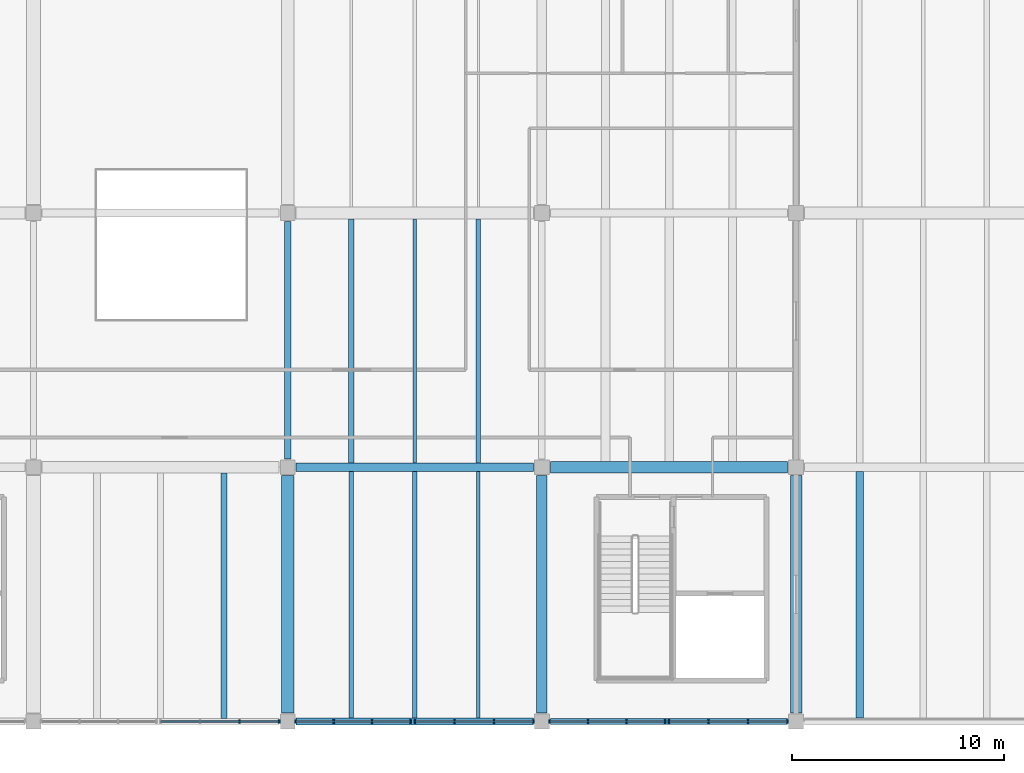
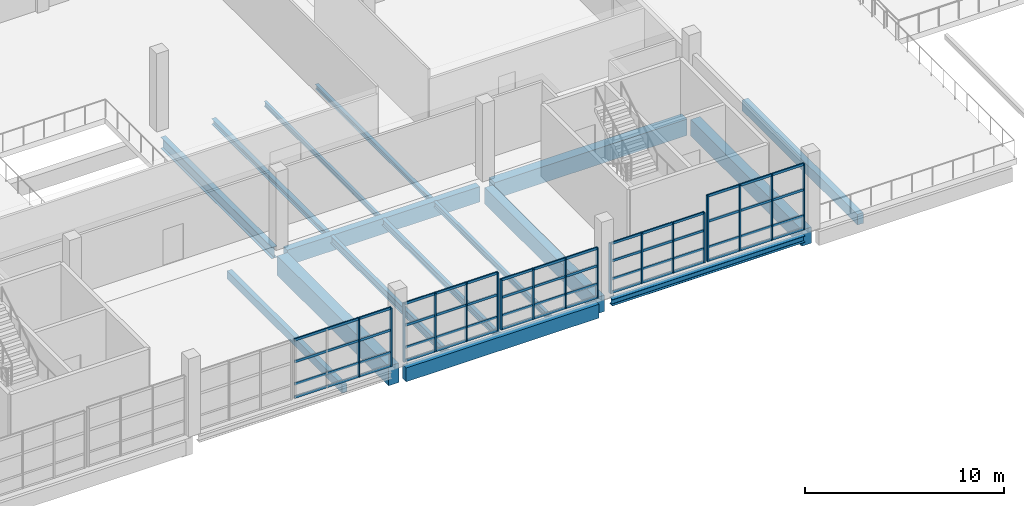
# One storey, part 16 of 49: 38 members, 16 beams, 5 elements without a shape of their own.
"""IFC4 building model written with IfcOpenShell, lengths in metres."""

from ifc_helpers import new_model, si_unit, direction, frame, origin, origin_2d, place, context, subcontext, project, spatial, rectangle, i_section, extrude, material, material_profile, profile_set, type_object, element, aggregate, save


model = new_model("IFC4")

# Units and contexts
model_context = context("Model", 3, precision=1e-05, world=origin(), true_north=direction((0.0, 1.0)))
body_context = subcontext(model_context, "Body", "Model", "MODEL_VIEW")
ifc_project = project(units=[si_unit("LENGTHUNIT", "METRE"), si_unit("AREAUNIT", "SQUARE_METRE"), si_unit("VOLUMEUNIT", "CUBIC_METRE"), si_unit("PLANEANGLEUNIT", "RADIAN"), si_unit("MASSUNIT", "GRAM", prefix="KILO")], contexts=[model_context])

# Site, building, storey
site_placement = place(None, origin())
site = spatial("IfcSite", under=ifc_project, at=site_placement, CompositionType="ELEMENT")
building_placement = place(site_placement, origin())
building = spatial("IfcBuilding", under=site, at=building_placement, Name="Kamomehara Wholesale Market", CompositionType="ELEMENT")
storey_placement = place(building_placement, frame((0.0, 0.0, 11.39990234375)))
storey = spatial("IfcBuildingStorey", under=building, at=storey_placement, Name="L02", CompositionType="ELEMENT", Elevation=11.39990234375)

# Beams
ifc_material_1 = material(Name="Precast concrete Fc45 (C40/50)", Category="concrete")
ifc_material_profile_1 = material_profile(ifc_material_1, rectangle(XDim=0.5, YDim=1.0, at=origin_2d()), Name="PC-GRD-500x1000")
ifc_profile_set_1 = profile_set([ifc_material_profile_1], Name="Precast concrete Fc45 (C40/50)")
beam_type_1 = type_object("IfcBeamType", Name="BM-PG1000", PredefinedType="T_BEAM", material=ifc_profile_set_1)
beam_1_placement = place(storey_placement, frame((144.0, 12.39990234375, -0.831787109375), z_axis=(0.0, 1.0, 0.0), x_axis=(-1.0, 0.0, 0.0)))
element("IfcBeam", 1, at=beam_1_placement, inside=storey, type_object=beam_type_1, Name="Beam PG-09 L02", PredefinedType="T_BEAM", context=body_context, shape_type="SweptSolid", body=[
    extrude(rectangle(XDim=0.5, YDim=1.0, at=origin_2d()), origin(), (0.0, 0.0, 1.0), 11.2001953125),
])
ifc_material_2 = material(Name="Precast concrete Fc45 (C40/50)", Category="concrete")
ifc_material_profile_2 = material_profile(ifc_material_2, rectangle(XDim=0.60009765625, YDim=1.199951171875, at=origin_2d()), Name="PC-GRD-600x1200")
ifc_profile_set_2 = profile_set([ifc_material_profile_2], Name="Precast concrete Fc45 (C40/50)")
beam_type_2 = type_object("IfcBeamType", Name="BM-PG1200", PredefinedType="T_BEAM", material=ifc_profile_set_2)
beam_2_placement = place(storey_placement, frame((132.0, 12.39990234375, -0.911865234375), z_axis=(0.0, 1.0, 0.0), x_axis=(-1.0, 0.0, 0.0)))
element("IfcBeam", 2, at=beam_2_placement, inside=storey, type_object=beam_type_2, Name="Beam PG-05 L02", PredefinedType="T_BEAM", context=body_context, shape_type="SweptSolid", body=[
    extrude(rectangle(XDim=0.60009765625, YDim=1.199951171875, at=origin_2d()), origin(), (0.0, 0.0, 1.0), 11.2001953125),
])
ifc_material_3 = material(Name="Precast concrete Fc45 (C40/50)", Category="concrete")
ifc_material_profile_3 = material_profile(ifc_material_3, rectangle(XDim=0.280029296875, YDim=0.5, at=origin_2d()), Name="PC-JST-280x500")
ifc_profile_set_3 = profile_set([ifc_material_profile_3], Name="Precast concrete Fc45 (C40/50)")
beam_type_3 = type_object("IfcBeamType", Name="BM-PJ500", PredefinedType="JOIST", material=ifc_profile_set_3)
beam_3_placement = place(storey_placement, frame((129.0, 12.14990234375, -0.56201171875), z_axis=(0.0, 1.0, 0.0), x_axis=(-1.0, 0.0, 0.0)))
element("IfcBeam", 3, at=beam_3_placement, inside=storey, type_object=beam_type_3, Name="Beam PJ-11 L02", PredefinedType="JOIST", context=body_context, shape_type="SweptSolid", body=[
    extrude(rectangle(XDim=0.280029296875, YDim=0.5, at=origin_2d()), origin(), (0.0, 0.0, 1.0), 11.5751953125),
])
ifc_material_4 = material(Name="Precast concrete Fc45 (C40/50)", Category="concrete")
ifc_material_profile_4 = material_profile(ifc_material_4, rectangle(XDim=0.35009765625, YDim=0.64990234375, at=origin_2d()), Name="PC-JST-350x650")
ifc_profile_set_4 = profile_set([ifc_material_profile_4], Name="Precast concrete Fc45 (C40/50)")
beam_type_4 = type_object("IfcBeamType", Name="BM-PJ650", PredefinedType="JOIST", material=ifc_profile_set_4)
beam_4_placement = place(storey_placement, frame((159.0, 12.175048828125, -0.671875), z_axis=(0.0, 1.0, 0.0), x_axis=(-1.0, 0.0, 0.0)))
element("IfcBeam", 4, at=beam_4_placement, inside=storey, type_object=beam_type_4, Name="Beam PJ-04 L02", PredefinedType="JOIST", context=body_context, shape_type="SweptSolid", body=[
    extrude(rectangle(XDim=0.35009765625, YDim=0.64990234375, at=origin_2d()), origin(), (0.0, 0.0, 1.0), 11.625),
])
ifc_material_5 = material(Name="Concrete Fc36 (C35/45)", Category="concrete")
ifc_material_profile_5 = material_profile(ifc_material_5, rectangle(XDim=0.550048828125, YDim=1.0, at=origin_2d()), Name="RC-SEB-550x1000")
ifc_profile_set_5 = profile_set([ifc_material_profile_5], Name="Concrete Fc36 (C35/45)")
beam_type_5 = type_object("IfcBeamType", Name="BM-SEB1000-EXT", PredefinedType="SPANDREL", material=ifc_profile_set_5)
for number, where, z_axis, x_axis, name in (
    (5, (156.0, 12.39990234375, -0.846923828125), (0.0, 1.0, 0.0), (-1.0, 0.0, 0.0), "Beam SEB-03E L02"),
    (6, (144.39990234375, 24.0, -0.851806640625), (1.0, 0.0, 0.0), (0.0, 1.0, 0.0), "Beam SEB-03E L02"),
):
    element("IfcBeam", number, at=place(storey_placement, frame(where, z_axis=z_axis, x_axis=x_axis)), inside=storey, type_object=beam_type_5, Name=name, PredefinedType="SPANDREL", context=body_context, shape_type="SweptSolid", body=[
        extrude(rectangle(XDim=0.550048828125, YDim=1.0, at=origin_2d()), origin(), (0.0, 0.0, 1.0), 11.2001953125),
    ])
ifc_material_6 = material(Name="Precast concrete Fc45 (C40/50)", Category="concrete")
ifc_material_profile_6 = material_profile(ifc_material_6, rectangle(XDim=0.35009765625, YDim=0.85009765625, at=origin_2d()), Name="PC-SPN-350x850")
ifc_profile_set_6 = profile_set([ifc_material_profile_6], Name="Precast concrete Fc45 (C40/50)")
beam_type_6 = type_object("IfcBeamType", Name="BM-SPN850-EXT", PredefinedType="SPANDREL", material=ifc_profile_set_6)
beam_5_placement = place(storey_placement, frame((132.39990234375, 12.0, -0.73681640625), z_axis=(1.0, 0.0, 0.0), x_axis=(0.0, 1.0, 0.0)))
element("IfcBeam", 7, at=beam_5_placement, inside=storey, type_object=beam_type_6, Name="Beam SPN-02E L02", PredefinedType="SPANDREL", context=body_context, shape_type="SweptSolid", body=[
    extrude(rectangle(XDim=0.35009765625, YDim=0.85009765625, at=origin_2d()), origin(), (0.0, 0.0, 1.0), 11.2001953125),
])
ifc_material_7 = material(Name="Precast concrete Fc45 (C40/50)", Category="concrete")
ifc_material_profile_7 = material_profile(ifc_material_7, rectangle(XDim=0.39990234375, YDim=0.949951171875, at=origin_2d()), Name="PC-SPN-400x950")
ifc_profile_set_7 = profile_set([ifc_material_profile_7], Name="Precast concrete Fc45 (C40/50)")
beam_type_7 = type_object("IfcBeamType", Name="BM-SPN950-EXT", PredefinedType="SPANDREL", material=ifc_profile_set_7)
beam_6_placement = place(storey_placement, frame((132.39990234375, 24.0, -0.81689453125), z_axis=(1.0, 0.0, 0.0), x_axis=(0.0, 1.0, 0.0)))
element("IfcBeam", 8, at=beam_6_placement, inside=storey, type_object=beam_type_7, Name="Beam SPN-01E L02", PredefinedType="SPANDREL", context=body_context, shape_type="SweptSolid", body=[
    extrude(rectangle(XDim=0.39990234375, YDim=0.949951171875, at=origin_2d()), origin(), (0.0, 0.0, 1.0), 11.2001953125),
])
ifc_material_8 = material(Name="Steel SN400B", Category="steel")
ifc_material_profile_8 = material_profile(ifc_material_8, i_section(OverallWidth=0.199951171875, OverallDepth=0.2939453125, WebThickness=0.008056640625, FlangeThickness=0.011962890625, FilletRadius=0.012939453125, at=origin_2d()), Name="H-294x200x8x12")
ifc_profile_set_8 = profile_set([ifc_material_profile_8], Name="Steel SN400B")
beam_type_8 = type_object("IfcBeamType", Name="BM-ST-H294", PredefinedType="JOIST", material=ifc_profile_set_8)
beam_7_placement = place(storey_placement, frame((141.0, 24.199951171875, -0.489013671875), z_axis=(0.0, 1.0, 0.0), x_axis=(-1.0, 0.0, 0.0)))
element("IfcBeam", 9, at=beam_7_placement, inside=storey, type_object=beam_type_8, Name="Beam SJ-09 L02", PredefinedType="JOIST", context=body_context, shape_type="SweptSolid", body=[
    extrude(i_section(OverallWidth=0.199951171875, OverallDepth=0.2939453125, WebThickness=0.008056640625, FlangeThickness=0.011962890625, FilletRadius=0.012939453125, at=origin_2d()), origin(), (0.0, 0.0, 1.0), 11.525146484375),
])
ifc_material_9 = material(Name="Steel SN400B", Category="steel")
ifc_material_profile_9 = material_profile(ifc_material_9, i_section(OverallWidth=0.14990234375, OverallDepth=0.300048828125, WebThickness=0.006591796875, FlangeThickness=0.009033203125, FilletRadius=0.012939453125, at=origin_2d()), Name="H-300x150x6.5x9")
ifc_profile_set_9 = profile_set([ifc_material_profile_9], Name="Steel SN400B")
beam_type_9 = type_object("IfcBeamType", Name="BM-ST-H300", PredefinedType="JOIST", material=ifc_profile_set_9)
beam_8_placement = place(storey_placement, frame((138.0, 24.199951171875, -0.491943359375), z_axis=(0.0, 1.0, 0.0), x_axis=(-1.0, 0.0, 0.0)))
element("IfcBeam", 10, at=beam_8_placement, inside=storey, type_object=beam_type_9, Name="Beam SJ-05 L02", PredefinedType="JOIST", context=body_context, shape_type="SweptSolid", body=[
    extrude(i_section(OverallWidth=0.14990234375, OverallDepth=0.300048828125, WebThickness=0.006591796875, FlangeThickness=0.009033203125, FilletRadius=0.012939453125, at=origin_2d()), origin(), (0.0, 0.0, 1.0), 11.525146484375),
])
ifc_material_10 = material(Name="Steel SN490B", Category="steel")
ifc_material_profile_10 = material_profile(ifc_material_10, i_section(OverallWidth=0.25, OverallDepth=0.340087890625, WebThickness=0.009033203125, FlangeThickness=0.013916015625, FilletRadius=0.012939453125, at=origin_2d()), Name="H-340x250x9x14")
ifc_profile_set_10 = profile_set([ifc_material_profile_10], Name="Steel SN490B")
beam_type_10 = type_object("IfcBeamType", Name="BM-ST-H340", PredefinedType="JOIST", material=ifc_profile_set_10)
beam_9_placement = place(storey_placement, frame((135.0, 24.199951171875, -0.511962890625), z_axis=(0.0, 1.0, 0.0), x_axis=(-1.0, 0.0, 0.0)))
element("IfcBeam", 11, at=beam_9_placement, inside=storey, type_object=beam_type_10, Name="Beam SJ-08 L02", PredefinedType="JOIST", context=body_context, shape_type="SweptSolid", body=[
    extrude(i_section(OverallWidth=0.25, OverallDepth=0.340087890625, WebThickness=0.009033203125, FlangeThickness=0.013916015625, FilletRadius=0.012939453125, at=origin_2d()), origin(), (0.0, 0.0, 1.0), 11.525146484375),
])
ifc_material_11 = material(Name="Steel SN400B", Category="steel")
ifc_material_profile_11 = material_profile(ifc_material_11, i_section(OverallWidth=0.175048828125, OverallDepth=0.35009765625, WebThickness=0.007080078125, FlangeThickness=0.010986328125, FilletRadius=0.012939453125, at=origin_2d()), Name="H-350x175x7x11")
ifc_profile_set_11 = profile_set([ifc_material_profile_11], Name="Steel SN400B")
beam_type_11 = type_object("IfcBeamType", Name="BM-ST-H350", PredefinedType="JOIST", material=ifc_profile_set_11)
beam_10_placement = place(storey_placement, frame((141.0, 12.175048828125, -0.48681640625), z_axis=(0.0, 1.0, 0.0), x_axis=(-1.0, 0.0, 0.0)))
element("IfcBeam", 12, at=beam_10_placement, inside=storey, type_object=beam_type_11, Name="Beam SJ-04 L02", PredefinedType="JOIST", context=body_context, shape_type="SweptSolid", body=[
    extrude(i_section(OverallWidth=0.175048828125, OverallDepth=0.35009765625, WebThickness=0.007080078125, FlangeThickness=0.010986328125, FilletRadius=0.012939453125, at=origin_2d()), origin(), (0.0, 0.0, 1.0), 11.625),
])
ifc_material_12 = material(Name="Steel SN490B", Category="steel")
ifc_material_profile_12 = material_profile(ifc_material_12, i_section(OverallWidth=0.300048828125, OverallDepth=0.389892578125, WebThickness=0.010009765625, FlangeThickness=0.01611328125, FilletRadius=0.01806640625, at=origin_2d()), Name="H-390x300x10x16")
ifc_profile_set_12 = profile_set([ifc_material_profile_12], Name="Steel SN490B")
beam_type_12 = type_object("IfcBeamType", Name="BM-ST-H390-EXT", PredefinedType="SPANDREL", material=ifc_profile_set_12)
beam_11_placement = place(storey_placement, frame((144.39990234375, 12.0, -0.52685546875), z_axis=(1.0, 0.0, 0.0), x_axis=(0.0, 1.0, 0.0)))
element("IfcBeam", 13, at=beam_11_placement, inside=storey, type_object=beam_type_12, Name="Beam SJ-03E L02", PredefinedType="SPANDREL", context=body_context, shape_type="SweptSolid", body=[
    extrude(i_section(OverallWidth=0.300048828125, OverallDepth=0.389892578125, WebThickness=0.010009765625, FlangeThickness=0.01611328125, FilletRadius=0.01806640625, at=origin_2d()), origin(), (0.0, 0.0, 1.0), 11.2001953125),
])
ifc_material_13 = material(Name="Steel SN400B", Category="steel")
ifc_material_profile_13 = material_profile(ifc_material_13, i_section(OverallWidth=0.199951171875, OverallDepth=0.39990234375, WebThickness=0.008056640625, FlangeThickness=0.012939453125, FilletRadius=0.012939453125, at=origin_2d()), Name="H-400x200x8x13")
ifc_profile_set_13 = profile_set([ifc_material_profile_13], Name="Steel SN400B")
beam_type_13 = type_object("IfcBeamType", Name="BM-ST-H400", PredefinedType="JOIST", material=ifc_profile_set_13)
beam_12_placement = place(storey_placement, frame((138.0, 12.175048828125, -0.511962890625), z_axis=(0.0, 1.0, 0.0), x_axis=(-1.0, 0.0, 0.0)))
element("IfcBeam", 14, at=beam_12_placement, inside=storey, type_object=beam_type_13, Name="Beam SJ-02 L02", PredefinedType="JOIST", context=body_context, shape_type="SweptSolid", body=[
    extrude(i_section(OverallWidth=0.199951171875, OverallDepth=0.39990234375, WebThickness=0.008056640625, FlangeThickness=0.012939453125, FilletRadius=0.012939453125, at=origin_2d()), origin(), (0.0, 0.0, 1.0), 11.625),
])
ifc_material_14 = material(Name="Steel SN400B", Category="steel")
ifc_material_profile_14 = material_profile(ifc_material_14, i_section(OverallWidth=0.199951171875, OverallDepth=0.449951171875, WebThickness=0.009033203125, FlangeThickness=0.013916015625, FilletRadius=0.012939453125, at=origin_2d()), Name="H-450x200x9x14")
ifc_profile_set_14 = profile_set([ifc_material_profile_14], Name="Steel SN400B")
beam_type_14 = type_object("IfcBeamType", Name="BM-ST-H450", PredefinedType="JOIST", material=ifc_profile_set_14)
beam_13_placement = place(storey_placement, frame((135.0, 12.175048828125, -0.536865234375), z_axis=(0.0, 1.0, 0.0), x_axis=(-1.0, 0.0, 0.0)))
element("IfcBeam", 15, at=beam_13_placement, inside=storey, type_object=beam_type_14, Name="Beam SJ-01 L02", PredefinedType="JOIST", context=body_context, shape_type="SweptSolid", body=[
    extrude(i_section(OverallWidth=0.199951171875, OverallDepth=0.449951171875, WebThickness=0.009033203125, FlangeThickness=0.013916015625, FilletRadius=0.012939453125, at=origin_2d()), origin(), (0.0, 0.0, 1.0), 11.625),
])
ifc_material_15 = material(Name="Steel SN490B", Category="steel")
ifc_material_profile_15 = material_profile(ifc_material_15, i_section(OverallWidth=0.300048828125, OverallDepth=0.699951171875, WebThickness=0.012939453125, FlangeThickness=0.02392578125, FilletRadius=0.02197265625, at=origin_2d()), Name="H-700x300x13x24")
ifc_profile_set_15 = profile_set([ifc_material_profile_15], Name="Steel SN490B")
beam_type_15 = type_object("IfcBeamType", Name="BM-ST-H700", PredefinedType="BEAM", material=ifc_profile_set_15)
beam_14_placement = place(storey_placement, frame((132.0, 24.39990234375, -0.69189453125), z_axis=(0.0, 1.0, 0.0), x_axis=(-1.0, 0.0, 0.0)))
element("IfcBeam", 16, at=beam_14_placement, inside=storey, type_object=beam_type_15, Name="Beam SG-03 L02", PredefinedType="BEAM", context=body_context, shape_type="SweptSolid", body=[
    extrude(i_section(OverallWidth=0.300048828125, OverallDepth=0.699951171875, WebThickness=0.012939453125, FlangeThickness=0.02392578125, FilletRadius=0.02197265625, at=origin_2d()), origin(), (0.0, 0.0, 1.0), 11.2001953125),
])

# Curtain wall, members
ifc_material_16 = material(Name="Anodised aluminium 6063-T5", Category="aluminium")
curtain_wall_type = type_object("IfcCurtainWallType", Name="CW-UN-01", PredefinedType="NOTDEFINED", material=ifc_material_16)
curtain_wall_1_placement = place(storey_placement, origin())
curtain_wall_1 = element("IfcCurtainWall", 17, at=curtain_wall_1_placement, inside=storey, type_object=curtain_wall_type, Name="Unitised curtain wall CW-145", PredefinedType="NOTDEFINED")
ifc_material_17 = material(Name="Anodised aluminium 6063-T5", Category="aluminium")
ifc_material_profile_16 = material_profile(ifc_material_17, rectangle(XDim=0.074951171875, YDim=0.179931640625, at=origin_2d()), Name="ALU-MUL-75x180")
ifc_profile_set_16 = profile_set([ifc_material_profile_16], Name="Anodised aluminium 6063-T5")
member_type_1 = type_object("IfcMemberType", Name="CW-MUL-180", PredefinedType="MULLION", material=ifc_profile_set_16)
member_1_placement = place(storey_placement, frame((131.60009765625, 12.0, 0.0), z_axis=(0.0, 0.0, 1.0), x_axis=(-1.0, 0.0, 0.0)))
member_1 = element("IfcMember", 18, at=member_1_placement, type_object=member_type_1, Name="Mullion CW-145.0", PredefinedType="MULLION", context=body_context, shape_type="SweptSolid", body=[
    extrude(rectangle(XDim=0.074951171875, YDim=0.179931640625, at=origin_2d()), origin(), (0.0, 0.0, 1.0), 3.59814453125),
])
member_2_placement = place(storey_placement, frame((129.73291015625, 12.0, 0.0), z_axis=(0.0, 0.0, 1.0), x_axis=(-1.0, 0.0, 0.0)))
member_2 = element("IfcMember", 19, at=member_2_placement, type_object=member_type_1, Name="Mullion CW-145.1", PredefinedType="MULLION", context=body_context, shape_type="SweptSolid", body=[
    extrude(rectangle(XDim=0.074951171875, YDim=0.179931640625, at=origin_2d()), origin(), (0.0, 0.0, 1.0), 3.59814453125),
])

curtain_wall_2_placement = place(storey_placement, origin())
curtain_wall_2 = element("IfcCurtainWall", 20, at=curtain_wall_2_placement, inside=storey, type_object=curtain_wall_type, Name="Unitised curtain wall CW-147", PredefinedType="NOTDEFINED")
member_3_placement = place(storey_placement, frame((143.60009765625, 12.0, 0.0), z_axis=(0.0, 0.0, 1.0), x_axis=(-1.0, 0.0, 0.0)))
member_3 = element("IfcMember", 21, at=member_3_placement, type_object=member_type_1, Name="Mullion CW-147.0", PredefinedType="MULLION", context=body_context, shape_type="SweptSolid", body=[
    extrude(rectangle(XDim=0.074951171875, YDim=0.179931640625, at=origin_2d()), origin(), (0.0, 0.0, 1.0), 3.078125),
])
member_4_placement = place(storey_placement, frame((141.73291015625, 12.0, 0.0), z_axis=(0.0, 0.0, 1.0), x_axis=(-1.0, 0.0, 0.0)))
member_4 = element("IfcMember", 22, at=member_4_placement, type_object=member_type_1, Name="Mullion CW-147.1", PredefinedType="MULLION", context=body_context, shape_type="SweptSolid", body=[
    extrude(rectangle(XDim=0.074951171875, YDim=0.179931640625, at=origin_2d()), origin(), (0.0, 0.0, 1.0), 3.078125),
])
member_5_placement = place(storey_placement, frame((139.866943359375, 12.0, 0.0), z_axis=(0.0, 0.0, 1.0), x_axis=(-1.0, 0.0, 0.0)))
member_5 = element("IfcMember", 23, at=member_5_placement, type_object=member_type_1, Name="Mullion CW-147.2", PredefinedType="MULLION", context=body_context, shape_type="SweptSolid", body=[
    extrude(rectangle(XDim=0.074951171875, YDim=0.179931640625, at=origin_2d()), origin(), (0.0, 0.0, 1.0), 3.078125),
])
member_6_placement = place(storey_placement, frame((138.0, 12.0, 0.0), z_axis=(0.0, 0.0, 1.0), x_axis=(-1.0, 0.0, 0.0)))
member_6 = element("IfcMember", 24, at=member_6_placement, type_object=member_type_1, Name="Mullion CW-147.3", PredefinedType="MULLION", context=body_context, shape_type="SweptSolid", body=[
    extrude(rectangle(XDim=0.074951171875, YDim=0.179931640625, at=origin_2d()), origin(), (0.0, 0.0, 1.0), 3.078125),
])

curtain_wall_3_placement = place(storey_placement, origin())
curtain_wall_3 = element("IfcCurtainWall", 25, at=curtain_wall_3_placement, inside=storey, type_object=curtain_wall_type, Name="Unitised curtain wall CW-148", PredefinedType="NOTDEFINED")
member_7_placement = place(storey_placement, frame((137.800048828125, 12.0, 0.0), z_axis=(0.0, 0.0, 1.0), x_axis=(-1.0, 0.0, 0.0)))
member_7 = element("IfcMember", 26, at=member_7_placement, type_object=member_type_1, Name="Mullion CW-148.0", PredefinedType="MULLION", context=body_context, shape_type="SweptSolid", body=[
    extrude(rectangle(XDim=0.074951171875, YDim=0.179931640625, at=origin_2d()), origin(), (0.0, 0.0, 1.0), 3.588134765625),
])
member_8_placement = place(storey_placement, frame((135.987060546875, 12.0, 0.0), z_axis=(0.0, 0.0, 1.0), x_axis=(-1.0, 0.0, 0.0)))
member_8 = element("IfcMember", 27, at=member_8_placement, type_object=member_type_1, Name="Mullion CW-148.1", PredefinedType="MULLION", context=body_context, shape_type="SweptSolid", body=[
    extrude(rectangle(XDim=0.074951171875, YDim=0.179931640625, at=origin_2d()), origin(), (0.0, 0.0, 1.0), 3.588134765625),
])
member_9_placement = place(storey_placement, frame((134.173095703125, 12.0, 0.0), z_axis=(0.0, 0.0, 1.0), x_axis=(-1.0, 0.0, 0.0)))
member_9 = element("IfcMember", 28, at=member_9_placement, type_object=member_type_1, Name="Mullion CW-148.2", PredefinedType="MULLION", context=body_context, shape_type="SweptSolid", body=[
    extrude(rectangle(XDim=0.074951171875, YDim=0.179931640625, at=origin_2d()), origin(), (0.0, 0.0, 1.0), 3.588134765625),
])
member_10_placement = place(storey_placement, frame((132.360107421875, 12.0, 0.0), z_axis=(0.0, 0.0, 1.0), x_axis=(-1.0, 0.0, 0.0)))
member_10 = element("IfcMember", 29, at=member_10_placement, type_object=member_type_1, Name="Mullion CW-148.3", PredefinedType="MULLION", context=body_context, shape_type="SweptSolid", body=[
    extrude(rectangle(XDim=0.074951171875, YDim=0.179931640625, at=origin_2d()), origin(), (0.0, 0.0, 1.0), 3.588134765625),
])

curtain_wall_4_placement = place(storey_placement, origin())
curtain_wall_4 = element("IfcCurtainWall", 30, at=curtain_wall_4_placement, inside=storey, type_object=curtain_wall_type, Name="Unitised curtain wall CW-149", PredefinedType="NOTDEFINED")
member_11_placement = place(storey_placement, frame((155.60009765625, 12.0, 0.0), z_axis=(0.0, 0.0, 1.0), x_axis=(-1.0, 0.0, 0.0)))
member_11 = element("IfcMember", 31, at=member_11_placement, type_object=member_type_1, Name="Mullion CW-149.0", PredefinedType="MULLION", context=body_context, shape_type="SweptSolid", body=[
    extrude(rectangle(XDim=0.074951171875, YDim=0.179931640625, at=origin_2d()), origin(), (0.0, 0.0, 1.0), 4.0380859375),
])
member_12_placement = place(storey_placement, frame((153.73291015625, 12.0, 0.0), z_axis=(0.0, 0.0, 1.0), x_axis=(-1.0, 0.0, 0.0)))
member_12 = element("IfcMember", 32, at=member_12_placement, type_object=member_type_1, Name="Mullion CW-149.1", PredefinedType="MULLION", context=body_context, shape_type="SweptSolid", body=[
    extrude(rectangle(XDim=0.074951171875, YDim=0.179931640625, at=origin_2d()), origin(), (0.0, 0.0, 1.0), 4.0380859375),
])
member_13_placement = place(storey_placement, frame((151.866943359375, 12.0, 0.0), z_axis=(0.0, 0.0, 1.0), x_axis=(-1.0, 0.0, 0.0)))
member_13 = element("IfcMember", 33, at=member_13_placement, type_object=member_type_1, Name="Mullion CW-149.2", PredefinedType="MULLION", context=body_context, shape_type="SweptSolid", body=[
    extrude(rectangle(XDim=0.074951171875, YDim=0.179931640625, at=origin_2d()), origin(), (0.0, 0.0, 1.0), 4.0380859375),
])
member_14_placement = place(storey_placement, frame((150.0, 12.0, 0.0), z_axis=(0.0, 0.0, 1.0), x_axis=(-1.0, 0.0, 0.0)))
member_14 = element("IfcMember", 34, at=member_14_placement, type_object=member_type_1, Name="Mullion CW-149.3", PredefinedType="MULLION", context=body_context, shape_type="SweptSolid", body=[
    extrude(rectangle(XDim=0.074951171875, YDim=0.179931640625, at=origin_2d()), origin(), (0.0, 0.0, 1.0), 4.0380859375),
])

curtain_wall_5_placement = place(storey_placement, origin())
curtain_wall_5 = element("IfcCurtainWall", 35, at=curtain_wall_5_placement, inside=storey, type_object=curtain_wall_type, Name="Unitised curtain wall CW-150", PredefinedType="NOTDEFINED")
member_15_placement = place(storey_placement, frame((149.800048828125, 12.0, 0.0), z_axis=(0.0, 0.0, 1.0), x_axis=(-1.0, 0.0, 0.0)))
member_15 = element("IfcMember", 36, at=member_15_placement, type_object=member_type_1, Name="Mullion CW-150.0", PredefinedType="MULLION", context=body_context, shape_type="SweptSolid", body=[
    extrude(rectangle(XDim=0.074951171875, YDim=0.179931640625, at=origin_2d()), origin(), (0.0, 0.0, 1.0), 3.078125),
])
member_16_placement = place(storey_placement, frame((147.987060546875, 12.0, 0.0), z_axis=(0.0, 0.0, 1.0), x_axis=(-1.0, 0.0, 0.0)))
member_16 = element("IfcMember", 37, at=member_16_placement, type_object=member_type_1, Name="Mullion CW-150.1", PredefinedType="MULLION", context=body_context, shape_type="SweptSolid", body=[
    extrude(rectangle(XDim=0.074951171875, YDim=0.179931640625, at=origin_2d()), origin(), (0.0, 0.0, 1.0), 3.078125),
])
member_17_placement = place(storey_placement, frame((146.173095703125, 12.0, 0.0), z_axis=(0.0, 0.0, 1.0), x_axis=(-1.0, 0.0, 0.0)))
member_17 = element("IfcMember", 38, at=member_17_placement, type_object=member_type_1, Name="Mullion CW-150.2", PredefinedType="MULLION", context=body_context, shape_type="SweptSolid", body=[
    extrude(rectangle(XDim=0.074951171875, YDim=0.179931640625, at=origin_2d()), origin(), (0.0, 0.0, 1.0), 3.078125),
])
member_18_placement = place(storey_placement, frame((144.360107421875, 12.0, 0.0), z_axis=(0.0, 0.0, 1.0), x_axis=(-1.0, 0.0, 0.0)))
member_18 = element("IfcMember", 39, at=member_18_placement, type_object=member_type_1, Name="Mullion CW-150.3", PredefinedType="MULLION", context=body_context, shape_type="SweptSolid", body=[
    extrude(rectangle(XDim=0.074951171875, YDim=0.179931640625, at=origin_2d()), origin(), (0.0, 0.0, 1.0), 3.078125),
])

# Member
ifc_material_18 = material(Name="Anodised aluminium 6063-T5", Category="aluminium")
ifc_material_profile_17 = material_profile(ifc_material_18, rectangle(XDim=0.074951171875, YDim=0.14990234375, at=origin_2d()), Name="ALU-TRN-75x150")
ifc_profile_set_17 = profile_set([ifc_material_profile_17], Name="Anodised aluminium 6063-T5")
member_type_2 = type_object("IfcMemberType", Name="CW-TRN-150", PredefinedType="USERDEFINED", material=ifc_profile_set_17)
member_19_placement = place(storey_placement, frame((131.60009765625, 12.0, 0.0400390625), z_axis=(-1.0, 0.0, 0.0), x_axis=(0.0, -1.0, 0.0)))
member_19 = element("IfcMember", 40, at=member_19_placement, type_object=member_type_2, Name="Transom CW-145.0", ObjectType="TRANSOM", PredefinedType="USERDEFINED", context=body_context, shape_type="SweptSolid", body=[
    extrude(rectangle(XDim=0.074951171875, YDim=0.14990234375, at=origin_2d()), origin(), (0.0, 0.0, 1.0), 5.60009765625),
])

member_20_placement = place(storey_placement, frame((131.60009765625, 12.0, 0.85009765625), z_axis=(-1.0, 0.0, 0.0), x_axis=(0.0, -1.0, 0.0)))
member_20 = element("IfcMember", 41, at=member_20_placement, type_object=member_type_2, Name="Transom CW-145.1", ObjectType="TRANSOM", PredefinedType="USERDEFINED", context=body_context, shape_type="SweptSolid", body=[
    extrude(rectangle(XDim=0.074951171875, YDim=0.14990234375, at=origin_2d()), origin(), (0.0, 0.0, 1.0), 5.60009765625),
])

member_21_placement = place(storey_placement, frame((131.60009765625, 12.0, 2.22412109375), z_axis=(-1.0, 0.0, 0.0), x_axis=(0.0, -1.0, 0.0)))
member_21 = element("IfcMember", 42, at=member_21_placement, type_object=member_type_2, Name="Transom CW-145.2", ObjectType="TRANSOM", PredefinedType="USERDEFINED", context=body_context, shape_type="SweptSolid", body=[
    extrude(rectangle(XDim=0.074951171875, YDim=0.14990234375, at=origin_2d()), origin(), (0.0, 0.0, 1.0), 5.60009765625),
])

member_22_placement = place(storey_placement, frame((131.60009765625, 12.0, 3.55810546875), z_axis=(-1.0, 0.0, 0.0), x_axis=(0.0, -1.0, 0.0)))
member_22 = element("IfcMember", 43, at=member_22_placement, type_object=member_type_2, Name="Transom CW-145.3", ObjectType="TRANSOM", PredefinedType="USERDEFINED", context=body_context, shape_type="SweptSolid", body=[
    extrude(rectangle(XDim=0.074951171875, YDim=0.14990234375, at=origin_2d()), origin(), (0.0, 0.0, 1.0), 5.60009765625),
])

aggregate(curtain_wall_1, [member_1, member_2, member_19, member_20, member_21, member_22])

member_23_placement = place(storey_placement, frame((143.60009765625, 12.0, 0.0400390625), z_axis=(-1.0, 0.0, 0.0), x_axis=(0.0, -1.0, 0.0)))
member_23 = element("IfcMember", 44, at=member_23_placement, type_object=member_type_2, Name="Transom CW-147.0", ObjectType="TRANSOM", PredefinedType="USERDEFINED", context=body_context, shape_type="SweptSolid", body=[
    extrude(rectangle(XDim=0.074951171875, YDim=0.14990234375, at=origin_2d()), origin(), (0.0, 0.0, 1.0), 5.60009765625),
])

member_24_placement = place(storey_placement, frame((143.60009765625, 12.0, 0.85009765625), z_axis=(-1.0, 0.0, 0.0), x_axis=(0.0, -1.0, 0.0)))
member_24 = element("IfcMember", 45, at=member_24_placement, type_object=member_type_2, Name="Transom CW-147.1", ObjectType="TRANSOM", PredefinedType="USERDEFINED", context=body_context, shape_type="SweptSolid", body=[
    extrude(rectangle(XDim=0.074951171875, YDim=0.14990234375, at=origin_2d()), origin(), (0.0, 0.0, 1.0), 5.60009765625),
])

member_25_placement = place(storey_placement, frame((143.60009765625, 12.0, 1.964111328125), z_axis=(-1.0, 0.0, 0.0), x_axis=(0.0, -1.0, 0.0)))
member_25 = element("IfcMember", 46, at=member_25_placement, type_object=member_type_2, Name="Transom CW-147.2", ObjectType="TRANSOM", PredefinedType="USERDEFINED", context=body_context, shape_type="SweptSolid", body=[
    extrude(rectangle(XDim=0.074951171875, YDim=0.14990234375, at=origin_2d()), origin(), (0.0, 0.0, 1.0), 5.60009765625),
])

member_26_placement = place(storey_placement, frame((143.60009765625, 12.0, 3.0380859375), z_axis=(-1.0, 0.0, 0.0), x_axis=(0.0, -1.0, 0.0)))
member_26 = element("IfcMember", 47, at=member_26_placement, type_object=member_type_2, Name="Transom CW-147.3", ObjectType="TRANSOM", PredefinedType="USERDEFINED", context=body_context, shape_type="SweptSolid", body=[
    extrude(rectangle(XDim=0.074951171875, YDim=0.14990234375, at=origin_2d()), origin(), (0.0, 0.0, 1.0), 5.60009765625),
])

aggregate(curtain_wall_2, [member_3, member_4, member_5, member_6, member_23, member_24, member_25, member_26])

member_27_placement = place(storey_placement, frame((137.800048828125, 12.0, 0.0400390625), z_axis=(-1.0, 0.0, 0.0), x_axis=(0.0, -1.0, 0.0)))
member_27 = element("IfcMember", 48, at=member_27_placement, type_object=member_type_2, Name="Transom CW-148.0", ObjectType="TRANSOM", PredefinedType="USERDEFINED", context=body_context, shape_type="SweptSolid", body=[
    extrude(rectangle(XDim=0.074951171875, YDim=0.14990234375, at=origin_2d()), origin(), (0.0, 0.0, 1.0), 5.43994140625),
])

member_28_placement = place(storey_placement, frame((137.800048828125, 12.0, 0.85009765625), z_axis=(-1.0, 0.0, 0.0), x_axis=(0.0, -1.0, 0.0)))
member_28 = element("IfcMember", 49, at=member_28_placement, type_object=member_type_2, Name="Transom CW-148.1", ObjectType="TRANSOM", PredefinedType="USERDEFINED", context=body_context, shape_type="SweptSolid", body=[
    extrude(rectangle(XDim=0.074951171875, YDim=0.14990234375, at=origin_2d()), origin(), (0.0, 0.0, 1.0), 5.43994140625),
])

member_29_placement = place(storey_placement, frame((137.800048828125, 12.0, 2.218994140625), z_axis=(-1.0, 0.0, 0.0), x_axis=(0.0, -1.0, 0.0)))
member_29 = element("IfcMember", 50, at=member_29_placement, type_object=member_type_2, Name="Transom CW-148.2", ObjectType="TRANSOM", PredefinedType="USERDEFINED", context=body_context, shape_type="SweptSolid", body=[
    extrude(rectangle(XDim=0.074951171875, YDim=0.14990234375, at=origin_2d()), origin(), (0.0, 0.0, 1.0), 5.43994140625),
])

member_30_placement = place(storey_placement, frame((137.800048828125, 12.0, 3.548095703125), z_axis=(-1.0, 0.0, 0.0), x_axis=(0.0, -1.0, 0.0)))
member_30 = element("IfcMember", 51, at=member_30_placement, type_object=member_type_2, Name="Transom CW-148.3", ObjectType="TRANSOM", PredefinedType="USERDEFINED", context=body_context, shape_type="SweptSolid", body=[
    extrude(rectangle(XDim=0.074951171875, YDim=0.14990234375, at=origin_2d()), origin(), (0.0, 0.0, 1.0), 5.43994140625),
])

aggregate(curtain_wall_3, [member_7, member_8, member_9, member_10, member_27, member_28, member_29, member_30])

member_31_placement = place(storey_placement, frame((155.60009765625, 12.0, 0.0400390625), z_axis=(-1.0, 0.0, 0.0), x_axis=(0.0, -1.0, 0.0)))
member_31 = element("IfcMember", 52, at=member_31_placement, type_object=member_type_2, Name="Transom CW-149.0", ObjectType="TRANSOM", PredefinedType="USERDEFINED", context=body_context, shape_type="SweptSolid", body=[
    extrude(rectangle(XDim=0.074951171875, YDim=0.14990234375, at=origin_2d()), origin(), (0.0, 0.0, 1.0), 5.60009765625),
])

member_32_placement = place(storey_placement, frame((155.60009765625, 12.0, 0.85009765625), z_axis=(-1.0, 0.0, 0.0), x_axis=(0.0, -1.0, 0.0)))
member_32 = element("IfcMember", 53, at=member_32_placement, type_object=member_type_2, Name="Transom CW-149.1", ObjectType="TRANSOM", PredefinedType="USERDEFINED", context=body_context, shape_type="SweptSolid", body=[
    extrude(rectangle(XDim=0.074951171875, YDim=0.14990234375, at=origin_2d()), origin(), (0.0, 0.0, 1.0), 5.60009765625),
])

member_33_placement = place(storey_placement, frame((155.60009765625, 12.0, 2.444091796875), z_axis=(-1.0, 0.0, 0.0), x_axis=(0.0, -1.0, 0.0)))
member_33 = element("IfcMember", 54, at=member_33_placement, type_object=member_type_2, Name="Transom CW-149.2", ObjectType="TRANSOM", PredefinedType="USERDEFINED", context=body_context, shape_type="SweptSolid", body=[
    extrude(rectangle(XDim=0.074951171875, YDim=0.14990234375, at=origin_2d()), origin(), (0.0, 0.0, 1.0), 5.60009765625),
])

member_34_placement = place(storey_placement, frame((155.60009765625, 12.0, 3.998046875), z_axis=(-1.0, 0.0, 0.0), x_axis=(0.0, -1.0, 0.0)))
member_34 = element("IfcMember", 55, at=member_34_placement, type_object=member_type_2, Name="Transom CW-149.3", ObjectType="TRANSOM", PredefinedType="USERDEFINED", context=body_context, shape_type="SweptSolid", body=[
    extrude(rectangle(XDim=0.074951171875, YDim=0.14990234375, at=origin_2d()), origin(), (0.0, 0.0, 1.0), 5.60009765625),
])

aggregate(curtain_wall_4, [member_11, member_12, member_13, member_14, member_31, member_32, member_33, member_34])

member_35_placement = place(storey_placement, frame((149.800048828125, 12.0, 0.0400390625), z_axis=(-1.0, 0.0, 0.0), x_axis=(0.0, -1.0, 0.0)))
member_35 = element("IfcMember", 56, at=member_35_placement, type_object=member_type_2, Name="Transom CW-150.0", ObjectType="TRANSOM", PredefinedType="USERDEFINED", context=body_context, shape_type="SweptSolid", body=[
    extrude(rectangle(XDim=0.074951171875, YDim=0.14990234375, at=origin_2d()), origin(), (0.0, 0.0, 1.0), 5.43994140625),
])

member_36_placement = place(storey_placement, frame((149.800048828125, 12.0, 0.85009765625), z_axis=(-1.0, 0.0, 0.0), x_axis=(0.0, -1.0, 0.0)))
member_36 = element("IfcMember", 57, at=member_36_placement, type_object=member_type_2, Name="Transom CW-150.1", ObjectType="TRANSOM", PredefinedType="USERDEFINED", context=body_context, shape_type="SweptSolid", body=[
    extrude(rectangle(XDim=0.074951171875, YDim=0.14990234375, at=origin_2d()), origin(), (0.0, 0.0, 1.0), 5.43994140625),
])

member_37_placement = place(storey_placement, frame((149.800048828125, 12.0, 1.964111328125), z_axis=(-1.0, 0.0, 0.0), x_axis=(0.0, -1.0, 0.0)))
member_37 = element("IfcMember", 58, at=member_37_placement, type_object=member_type_2, Name="Transom CW-150.2", ObjectType="TRANSOM", PredefinedType="USERDEFINED", context=body_context, shape_type="SweptSolid", body=[
    extrude(rectangle(XDim=0.074951171875, YDim=0.14990234375, at=origin_2d()), origin(), (0.0, 0.0, 1.0), 5.43994140625),
])

member_38_placement = place(storey_placement, frame((149.800048828125, 12.0, 3.0380859375), z_axis=(-1.0, 0.0, 0.0), x_axis=(0.0, -1.0, 0.0)))
member_38 = element("IfcMember", 59, at=member_38_placement, type_object=member_type_2, Name="Transom CW-150.3", ObjectType="TRANSOM", PredefinedType="USERDEFINED", context=body_context, shape_type="SweptSolid", body=[
    extrude(rectangle(XDim=0.074951171875, YDim=0.14990234375, at=origin_2d()), origin(), (0.0, 0.0, 1.0), 5.43994140625),
])

aggregate(curtain_wall_5, [member_15, member_16, member_17, member_18, member_35, member_36, member_37, member_38])

save(model, "model.ifc")
